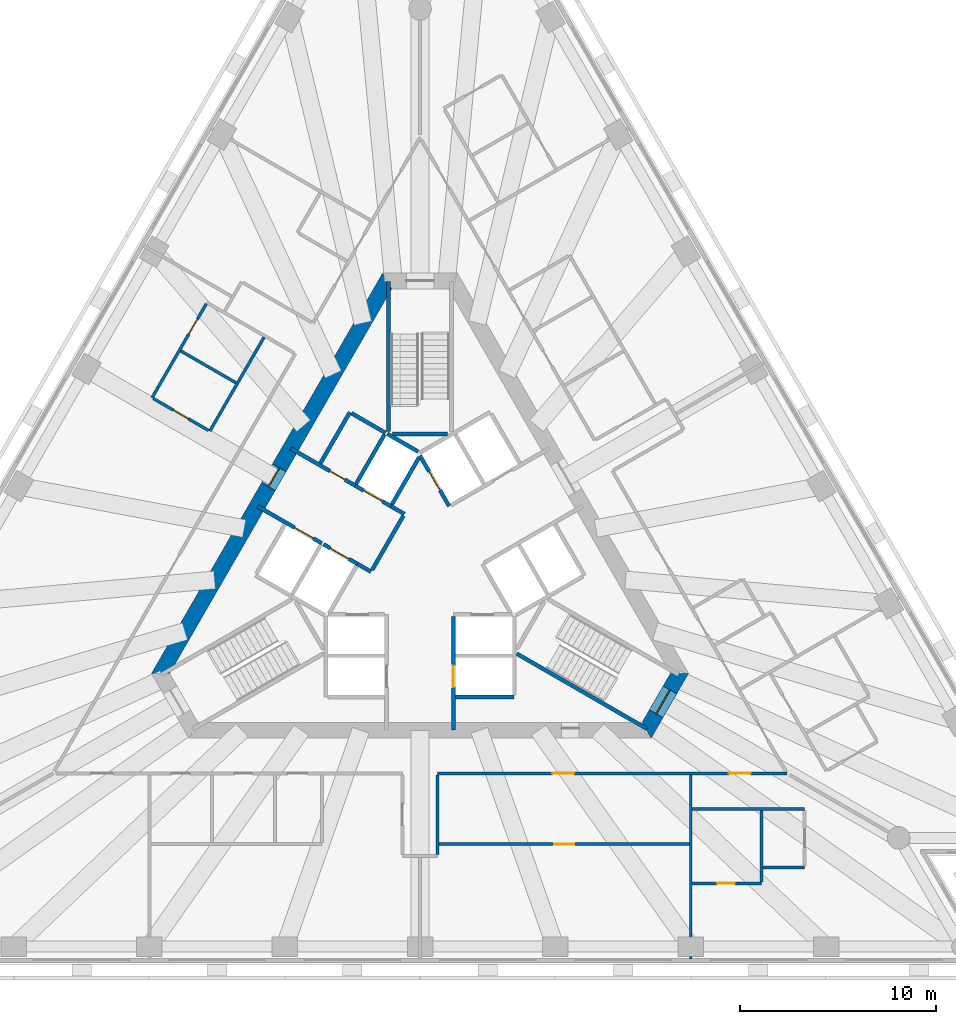
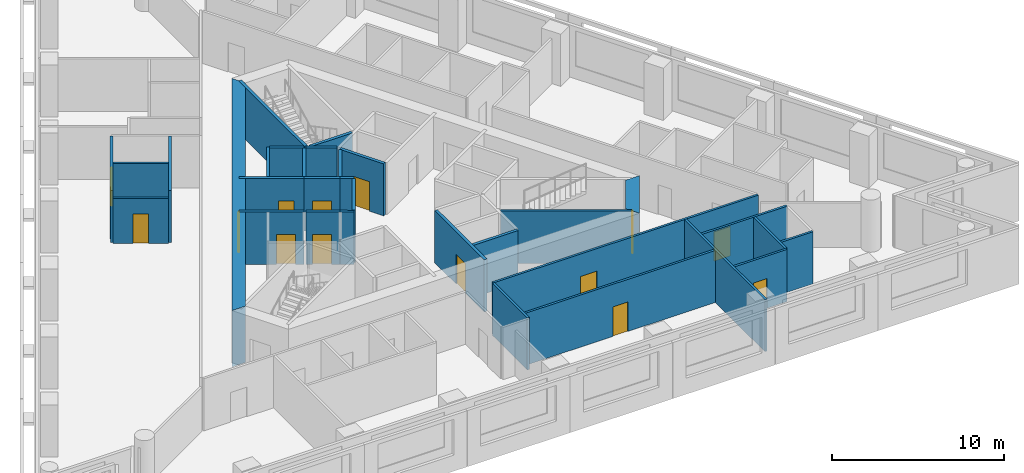
# One storey, part 4 of 10: 32 walls, 14 doors, 14 openings.
"""IFC4 building model written with IfcOpenShell, lengths in metres."""

from ifc_helpers import new_model, si_unit, direction, frame, frame_2d, origin, place, context, subcontext, project, spatial, polyline, rectangle, outline, extrude, material, layer, layer_set, type_object, element, fill, save


model = new_model("IFC4")

# Units and contexts
model_context = context("Model", 3, precision=1e-05, world=origin(), true_north=direction((0.0, 1.0)))
body_context = subcontext(model_context, "Body", "Model", "MODEL_VIEW")
ifc_project = project(units=[si_unit("LENGTHUNIT", "METRE"), si_unit("AREAUNIT", "SQUARE_METRE"), si_unit("VOLUMEUNIT", "CUBIC_METRE"), si_unit("PLANEANGLEUNIT", "RADIAN"), si_unit("MASSUNIT", "GRAM", prefix="KILO")], contexts=[model_context])

# Site, building, storey
site_placement = place(None, origin())
site = spatial("IfcSite", under=ifc_project, at=site_placement, CompositionType="ELEMENT")
building_placement = place(site_placement, origin())
building = spatial("IfcBuilding", under=site, at=building_placement, Name="Triada Interchange Tower", CompositionType="ELEMENT")
storey_placement = place(building_placement, frame((0.0, 0.0, 120.300048828125)))
storey = spatial("IfcBuildingStorey", under=building, at=storey_placement, Name="L27", CompositionType="ELEMENT", Elevation=120.300048828125)

# Wall
ifc_material_1 = material(Name="Concrete C30/37", Category="concrete")
ifc_layer_1 = layer(ifc_material_1, 0.199951171875)
ifc_layer_set_1 = layer_set([ifc_layer_1], Name="CORE WALL 200 EI 120")
wall_type_1 = type_object("IfcWallType", Name="CORE WALL 200 EI 120", PredefinedType="SOLIDWALL", material=ifc_layer_set_1)
wall_1_placement = place(storey_placement, frame((1.800048828125, -6.89990234375, 0.0), z_axis=(0.0, 0.0, 1.0), x_axis=(1.0, 0.0, 0.0)))
element("IfcWall", 1, at=wall_1_placement, inside=storey, type_object=wall_type_1, Name="Wall L26 66", PredefinedType="SOLIDWALL", context=body_context, shape_type="SweptSolid", body=[
    extrude(rectangle(XDim=3.0, YDim=0.199951171875, at=frame_2d((1.5, 0.0))), origin(), (0.0, 0.0, 1.0), 3.699951171875),
])

# Wall, opening, door
wall_2_placement = place(storey_placement, frame((0.0, 5.39990234375, 0.0), z_axis=(0.0, 0.0, 1.0), x_axis=(0.500103862429, -0.865965430478, 0.0)))
wall_2 = element("IfcWall", 2, at=wall_2_placement, inside=storey, type_object=wall_type_1, Name="Wall L26 71", PredefinedType="SOLIDWALL", context=body_context, shape_type="SweptSolid", body=[
    extrude(rectangle(XDim=2.973388671875, YDim=0.199951171875, at=frame_2d((1.48681640625, 0.0))), origin(), (0.0, 0.0, 1.0), 3.699951171875),
])
opening_1_placement = place(wall_2_placement, frame((0.93701171875, 0.0, 0.0)))
opening_1 = element("IfcOpeningElement", 3, at=opening_1_placement, cuts=wall_2, Name="Opening LD-LR5", PredefinedType="OPENING", context=body_context, shape_type="SweptSolid", body=[
    extrude(rectangle(XDim=1.10009765625, YDim=2.10009765625, at=frame_2d((0.550048828125, 1.050048828125))), frame((0.0, 0.10986328125, 0.0), z_axis=(0.0, -1.0, 0.0), x_axis=(1.0, 0.0, 0.0)), (0.0, 0.0, 1.0), 0.219970703125),
])
ifc_material_2 = material(Name="Steel S235 door leaf", Category="steel")
door_type_1 = type_object("IfcDoorType", Name="LIFT LANDING DOOR 1100 EI 120", OperationType="SLIDING_TO_LEFT", PredefinedType="DOOR", material=ifc_material_2)
door_1_placement = place(opening_1_placement, origin())
door_1 = element("IfcDoor", 4, at=door_1_placement, inside=storey, type_object=door_type_1, Name="LR5 landing door L27", OperationType="SLIDING_TO_LEFT", OverallHeight=2.10009765625, OverallWidth=1.10009765625, PredefinedType="DOOR", context=body_context, shape_type="SweptSolid", body=[
    extrude(rectangle(XDim=1.10009765625, YDim=2.10009765625, at=frame_2d((0.550048828125, 1.050048828125))), frame((0.0, 0.02490234375, 0.0), z_axis=(0.0, -1.0, 0.0), x_axis=(1.0, 0.0, 0.0)), (0.0, 0.0, 1.0), 0.050048828125),
])
fill(opening_1, door_1)

wall_3_placement = place(storey_placement, frame((1.699951171875, -8.580078125, 0.0), z_axis=(0.0, 0.0, 1.0), x_axis=(0.0, 1.0, 0.0)))
wall_3 = element("IfcWall", 5, at=wall_3_placement, inside=storey, type_object=wall_type_1, Name="Wall L26 74", PredefinedType="SOLIDWALL", context=body_context, shape_type="SweptSolid", body=[
    extrude(rectangle(XDim=5.777099609375, YDim=0.199951171875, at=frame_2d((2.888671875, 0.0))), origin(), (0.0, 0.0, 1.0), 3.699951171875),
])
opening_2_placement = place(wall_3_placement, frame((2.179931640625, 0.0, 0.0)))
opening_2 = element("IfcOpeningElement", 6, at=opening_2_placement, cuts=wall_3, Name="Opening LD-LR2", PredefinedType="OPENING", context=body_context, shape_type="SweptSolid", body=[
    extrude(rectangle(XDim=1.10009765625, YDim=2.10009765625, at=frame_2d((0.550048828125, 1.050048828125))), frame((0.0, 0.10986328125, 0.0), z_axis=(0.0, -1.0, 0.0), x_axis=(1.0, 0.0, 0.0)), (0.0, 0.0, 1.0), 0.219970703125),
])
door_2_placement = place(opening_2_placement, origin())
door_2 = element("IfcDoor", 7, at=door_2_placement, inside=storey, type_object=door_type_1, Name="LR2 landing door L27", OperationType="SLIDING_TO_LEFT", OverallHeight=2.10009765625, OverallWidth=1.10009765625, PredefinedType="DOOR", context=body_context, shape_type="SweptSolid", body=[
    extrude(rectangle(XDim=1.10009765625, YDim=2.10009765625, at=frame_2d((0.550048828125, 1.050048828125))), frame((0.0, 0.02490234375, 0.0), z_axis=(0.0, -1.0, 0.0), x_axis=(1.0, 0.0, 0.0)), (0.0, 0.0, 1.0), 0.050048828125),
])
fill(opening_2, door_2)

ifc_layer_2 = layer(ifc_material_1, 0.199951171875)
ifc_layer_set_2 = layer_set([ifc_layer_2], Name="CORE WALL 200 EI 180")
wall_type_2 = type_object("IfcWallType", Name="CORE WALL 200 EI 180", PredefinedType="SOLIDWALL", material=ifc_layer_set_2)
wall_4_placement = place(storey_placement, frame((-8.280029296875, 2.818115234375, 0.0), z_axis=(0.0, 0.0, 1.0), x_axis=(0.86600175068, -0.50004096614, 0.0)))
wall_4 = element("IfcWall", 8, at=wall_4_placement, inside=storey, type_object=wall_type_2, Name="Wall L26 82", PredefinedType="SOLIDWALL", context=body_context, shape_type="SweptSolid", body=[
    extrude(rectangle(XDim=3.781982421875, YDim=0.199951171875, at=frame_2d((1.89111328125, 0.0))), origin(), (0.0, 0.0, 1.0), 3.699951171875),
])
opening_3_placement = place(wall_4_placement, frame((2.179931640625, 0.0, 0.0)))
opening_3 = element("IfcOpeningElement", 9, at=opening_3_placement, cuts=wall_4, Name="Opening LD-SV1", PredefinedType="OPENING", context=body_context, shape_type="SweptSolid", body=[
    extrude(rectangle(XDim=1.10009765625, YDim=2.10009765625, at=frame_2d((0.550048828125, 1.050048828125))), frame((0.0, 0.10986328125, 0.0), z_axis=(0.0, -1.0, 0.0), x_axis=(1.0, 0.0, 0.0)), (0.0, 0.0, 1.0), 0.219970703125),
])
door_3_placement = place(opening_3_placement, origin())
door_3 = element("IfcDoor", 10, at=door_3_placement, inside=storey, type_object=door_type_1, Name="SV1 landing door L27", OperationType="SLIDING_TO_LEFT", OverallHeight=2.10009765625, OverallWidth=1.10009765625, PredefinedType="DOOR", context=body_context, shape_type="SweptSolid", body=[
    extrude(rectangle(XDim=1.10009765625, YDim=2.10009765625, at=frame_2d((0.550048828125, 1.050048828125))), frame((0.0, 0.02490234375, 0.0), z_axis=(0.0, -1.0, 0.0), x_axis=(1.0, 0.0, 0.0)), (0.0, 0.0, 1.0), 0.050048828125),
])
fill(opening_3, door_3)

# Wall
wall_5_placement = place(storey_placement, frame((-3.18798828125, -0.1220703125, 0.0), z_axis=(0.0, 0.0, 1.0), x_axis=(0.865705793592, -0.50055317294, 0.0)))
element("IfcWall", 11, at=wall_5_placement, inside=storey, type_object=wall_type_2, Name="Wall L26 83", PredefinedType="SOLIDWALL", context=body_context, shape_type="SweptSolid", body=[
    extrude(rectangle(XDim=0.796875, YDim=0.199951171875, at=frame_2d((0.3984375, 0.0))), origin(), (0.0, 0.0, 1.0), 3.699951171875),
])

# Wall, opening, door
wall_6_placement = place(storey_placement, frame((-6.580078125, 5.761962890625, 0.0), z_axis=(0.0, 0.0, 1.0), x_axis=(0.866029704776, -0.49999255039, 0.0)))
wall_6 = element("IfcWall", 12, at=wall_6_placement, inside=storey, type_object=wall_type_2, Name="Wall L26 84", PredefinedType="SOLIDWALL", context=body_context, shape_type="SweptSolid", body=[
    extrude(rectangle(XDim=3.78173828125, YDim=0.199951171875, at=frame_2d((1.890869140625, 0.0))), origin(), (0.0, 0.0, 1.0), 3.699951171875),
])
opening_4_placement = place(wall_6_placement, frame((2.279052734375, 0.0, 0.0)))
opening_4 = element("IfcOpeningElement", 13, at=opening_4_placement, cuts=wall_6, Name="Opening D26-10", PredefinedType="OPENING", context=body_context, shape_type="SweptSolid", body=[
    extrude(rectangle(XDim=0.89990234375, YDim=2.10009765625, at=frame_2d((0.449951171875, 1.050048828125))), frame((0.0, 0.10986328125, 0.0), z_axis=(0.0, -1.0, 0.0), x_axis=(1.0, 0.0, 0.0)), (0.0, 0.0, 1.0), 0.219970703125),
])
door_type_2 = type_object("IfcDoorType", Name="SERVICE DOOR 900 EI2 90-C5S200", OperationType="NOTDEFINED", PredefinedType="DOOR", material=ifc_material_2)
door_4_placement = place(opening_4_placement, origin())
door_4 = element("IfcDoor", 14, at=door_4_placement, inside=storey, type_object=door_type_2, Name="Door D26-10 L27", OperationType="SINGLE_SWING_LEFT", OverallHeight=2.10009765625, OverallWidth=0.89990234375, PredefinedType="DOOR", context=body_context, shape_type="SweptSolid", body=[
    extrude(rectangle(XDim=0.89990234375, YDim=2.10009765625, at=frame_2d((0.449951171875, 1.050048828125))), frame((0.0, 0.02490234375, 0.0), z_axis=(0.0, -1.0, 0.0), x_axis=(1.0, 0.0, 0.0)), (0.0, 0.0, 1.0), 0.050048828125),
])
fill(opening_4, door_4)

# Walls
wall_7_placement = place(storey_placement, frame((-1.488037109375, 2.822021484375, 0.0), z_axis=(0.0, 0.0, 1.0), x_axis=(0.866236612152, -0.499633997809, 0.0)))
element("IfcWall", 15, at=wall_7_placement, inside=storey, type_object=wall_type_2, Name="Wall L26 85", PredefinedType="SOLIDWALL", context=body_context, shape_type="SweptSolid", body=[
    extrude(rectangle(XDim=0.79638671875, YDim=0.199951171875, at=frame_2d((0.398193359375, 0.0))), origin(), (0.0, 0.0, 1.0), 3.699951171875),
])
wall_8_placement = place(storey_placement, frame((-5.075927734375, 5.009033203125, 0.0), z_axis=(0.0, 0.0, 1.0), x_axis=(0.50002537861, 0.866010750942, 0.0)))
element("IfcWall", 16, at=wall_8_placement, inside=storey, type_object=wall_type_2, Name="Wall L26 86", PredefinedType="SOLIDWALL", context=body_context, shape_type="SweptSolid", body=[
    extrude(rectangle(XDim=2.999755859375, YDim=0.199951171875, at=frame_2d((1.5, 0.0))), origin(), (0.0, 0.0, 1.0), 3.699951171875),
])
wall_9_placement = place(storey_placement, frame((-3.489013671875, 7.556884765625, 0.0), z_axis=(0.0, 0.0, 1.0), x_axis=(0.866010750942, -0.50002537861, 0.0)))
element("IfcWall", 17, at=wall_9_placement, inside=storey, type_object=wall_type_2, Name="Wall L26 87", PredefinedType="SOLIDWALL", context=body_context, shape_type="SweptSolid", body=[
    extrude(rectangle(XDim=2.0, YDim=0.199951171875, at=frame_2d((1.0, 0.0))), origin(), (0.0, 0.0, 1.0), 3.699951171875),
])
wall_10_placement = place(storey_placement, frame((-2.444091796875, -0.43310546875, 0.0), z_axis=(0.0, 0.0, 1.0), x_axis=(0.500035624827, 0.866004834804, 0.0)))
element("IfcWall", 18, at=wall_10_placement, inside=storey, type_object=wall_type_2, Name="Wall L26 88", PredefinedType="SOLIDWALL", context=body_context, shape_type="SweptSolid", body=[
    extrude(rectangle(XDim=3.194091796875, YDim=0.199951171875, at=frame_2d((1.59716796875, 0.0))), origin(), (0.0, 0.0, 1.0), 3.699951171875),
])

# Wall, opening, door
wall_11_placement = place(storey_placement, frame((-4.919921875, 0.8779296875, 0.0), z_axis=(0.0, 0.0, 1.0), x_axis=(0.866010750942, -0.50002537861, 0.0)))
wall_11 = element("IfcWall", 19, at=wall_11_placement, inside=storey, type_object=wall_type_2, Name="Shaft wall FF1 L26 91", PredefinedType="SOLIDWALL", context=body_context, shape_type="SweptSolid", body=[
    extrude(rectangle(XDim=2.0, YDim=0.199951171875, at=frame_2d((1.0, 0.0))), origin(), (0.0, 0.0, 1.0), 3.699951171875),
])
opening_5_placement = place(wall_11_placement, frame((0.39990234375, 0.0, 0.0)))
opening_5 = element("IfcOpeningElement", 20, at=opening_5_placement, cuts=wall_11, Name="Opening LD-FF1", PredefinedType="OPENING", context=body_context, shape_type="SweptSolid", body=[
    extrude(rectangle(XDim=1.10009765625, YDim=2.10009765625, at=frame_2d((0.550048828125, 1.050048828125))), frame((0.0, 0.10986328125, 0.0), z_axis=(0.0, -1.0, 0.0), x_axis=(1.0, 0.0, 0.0)), (0.0, 0.0, 1.0), 0.219970703125),
])
door_5_placement = place(opening_5_placement, origin())
door_5 = element("IfcDoor", 21, at=door_5_placement, inside=storey, type_object=door_type_1, Name="FF1 landing door L27", OperationType="SLIDING_TO_LEFT", OverallHeight=2.10009765625, OverallWidth=1.10009765625, PredefinedType="DOOR", context=body_context, shape_type="SweptSolid", body=[
    extrude(rectangle(XDim=1.10009765625, YDim=2.10009765625, at=frame_2d((0.550048828125, 1.050048828125))), frame((0.0, 0.02490234375, 0.0), z_axis=(0.0, -1.0, 0.0), x_axis=(1.0, 0.0, 0.0)), (0.0, 0.0, 1.0), 0.050048828125),
])
fill(opening_5, door_5)

wall_12_placement = place(storey_placement, frame((-3.30908203125, 3.873046875, 0.0), z_axis=(0.0, 0.0, 1.0), x_axis=(0.866098583652, -0.499873227325, 0.0)))
wall_12 = element("IfcWall", 22, at=wall_12_placement, inside=storey, type_object=wall_type_2, Name="Shaft wall FF2 L26 93", PredefinedType="SOLIDWALL", context=body_context, shape_type="SweptSolid", body=[
    extrude(rectangle(XDim=2.1025390625, YDim=0.199951171875, at=frame_2d((1.05126953125, 0.0))), origin(), (0.0, 0.0, 1.0), 3.699951171875),
])
opening_6_placement = place(wall_12_placement, frame((0.501953125, 0.0, 0.0)))
opening_6 = element("IfcOpeningElement", 23, at=opening_6_placement, cuts=wall_12, Name="Opening LD-FF2", PredefinedType="OPENING", context=body_context, shape_type="SweptSolid", body=[
    extrude(rectangle(XDim=1.10009765625, YDim=2.10009765625, at=frame_2d((0.550048828125, 1.050048828125))), frame((0.0, 0.10986328125, 0.0), z_axis=(0.0, -1.0, 0.0), x_axis=(1.0, 0.0, 0.0)), (0.0, 0.0, 1.0), 0.219970703125),
])
door_6_placement = place(opening_6_placement, origin())
door_6 = element("IfcDoor", 24, at=door_6_placement, inside=storey, type_object=door_type_1, Name="FF2 landing door L27", OperationType="SLIDING_TO_LEFT", OverallHeight=2.10009765625, OverallWidth=1.10009765625, PredefinedType="DOOR", context=body_context, shape_type="SweptSolid", body=[
    extrude(rectangle(XDim=1.10009765625, YDim=2.10009765625, at=frame_2d((0.550048828125, 1.050048828125))), frame((0.0, 0.02490234375, 0.0), z_axis=(0.0, -1.0, 0.0), x_axis=(1.0, 0.0, 0.0)), (0.0, 0.0, 1.0), 0.050048828125),
])
fill(opening_6, door_6)

# Walls
wall_13_placement = place(storey_placement, frame((-3.257080078125, 3.958984375, 0.0), z_axis=(0.0, 0.0, 1.0), x_axis=(0.50012328804, 0.865954211699, 0.0)))
element("IfcWall", 25, at=wall_13_placement, inside=storey, type_object=wall_type_2, Name="Shaft wall FF2 L26 94", PredefinedType="SOLIDWALL", context=body_context, shape_type="SweptSolid", body=[
    extrude(rectangle(XDim=2.899658203125, YDim=0.199951171875, at=frame_2d((1.44970703125, 0.0))), origin(), (0.0, 0.0, 1.0), 3.699951171875),
])
wall_14_placement = place(storey_placement, frame((-1.669921875, 6.507080078125, 0.0), z_axis=(0.0, 0.0, 1.0), x_axis=(0.865941441609, -0.500145398563, 0.0)))
element("IfcWall", 26, at=wall_14_placement, inside=storey, type_object=wall_type_2, Name="Shaft wall FF2 L26 95", PredefinedType="SOLIDWALL", context=body_context, shape_type="SweptSolid", body=[
    extrude(rectangle(XDim=1.8154296875, YDim=0.199951171875, at=frame_2d((0.90771484375, 0.0))), origin(), (0.0, 0.0, 1.0), 3.699951171875),
])
wall_15_placement = place(storey_placement, frame((-1.43798828125, 2.908935546875, 0.0), z_axis=(0.0, 0.0, 1.0), x_axis=(0.499829630636, 0.866123744241, 0.0)))
element("IfcWall", 27, at=wall_15_placement, inside=storey, type_object=wall_type_2, Name="Shaft wall FF2 L26 96", PredefinedType="SOLIDWALL", context=body_context, shape_type="SweptSolid", body=[
    extrude(rectangle(XDim=2.7607421875, YDim=0.199951171875, at=frame_2d((1.38037109375, 0.0))), origin(), (0.0, 0.0, 1.0), 3.699951171875),
])
ifc_layer_3 = layer(ifc_material_1, 0.199951171875)
ifc_layer_set_3 = layer_set([ifc_layer_3], Name="CORE WALL 200 REI 240")
wall_type_3 = type_object("IfcWallType", Name="CORE WALL 200 REI 240", PredefinedType="SOLIDWALL", material=ifc_layer_set_3)
wall_16_placement = place(storey_placement, frame((-1.39990234375, 6.5, 0.0), z_axis=(0.0, 0.0, 1.0), x_axis=(1.0, 0.0, 0.0)))
element("IfcWall", 28, at=wall_16_placement, inside=storey, type_object=wall_type_3, Name="Wall L26 101", PredefinedType="SOLIDWALL", context=body_context, shape_type="SweptSolid", body=[
    extrude(rectangle(XDim=2.7998046875, YDim=0.199951171875, at=frame_2d((1.39990234375, 0.0))), origin(), (0.0, 0.0, 1.0), 3.699951171875),
])
for number, where, z_axis, x_axis, name in (
    (29, (-1.60009765625, 6.614990234375, 0.0), (0.0, 0.0, 1.0), (0.0, 1.0, 0.0), "Wall L26 102"),
    (30, (4.928955078125, -4.693115234375, 0.0), (0.0, 0.0, 1.0), (0.866005769735, -0.50003400563, 0.0), "Wall L26 103"),
):
    element("IfcWall", number, at=place(storey_placement, frame(where, z_axis=z_axis, x_axis=x_axis)), inside=storey, type_object=wall_type_3, Name=name, PredefinedType="SOLIDWALL", context=body_context, shape_type="SweptSolid", body=[
        extrude(rectangle(XDim=7.6650390625, YDim=0.199951171875, at=frame_2d((3.83251953125, 0.0))), origin(), (0.0, 0.0, 1.0), 3.699951171875),
    ])

# Wall, opening, door
ifc_material_3 = material(Name="Concrete C60/75", Category="concrete")
ifc_layer_4 = layer(ifc_material_3, 0.800048828125)
ifc_layer_set_4 = layer_set([ifc_layer_4], Name="Core wall B 800")
wall_type_4 = type_object("IfcWallType", Name="Core wall B 800", PredefinedType="SHEAR", material=ifc_layer_set_4)
wall_17_placement = place(storey_placement, frame((-1.674072265625, 14.300048828125, -0.300048828125), z_axis=(0.0, 0.0, 1.0), x_axis=(-0.499995765644, -0.866027848477, 0.0)))
wall_17 = element("IfcWall", 31, at=wall_17_placement, inside=storey, type_object=wall_type_4, Name="Core wall WB02 L27", PredefinedType="SHEAR", context=body_context, shape_type="SweptSolid", body=[
    extrude(outline(polyline([(-0.23095703125, -0.39990234375), (1.73193359375, -0.39990234375), (3.695068359375, -0.39990234375), (5.657958984375, -0.39990234375), (7.62109375, -0.39990234375), (9.583984375, -0.39990234375), (11.546875, -0.39990234375), (13.510009765625, -0.39990234375), (15.472900390625, -0.39990234375), (17.43603515625, -0.39990234375), (19.39892578125, -0.39990234375), (21.362060546875, -0.39990234375), (23.324951171875, -0.39990234375), (22.863037109375, 0.39990234375), (20.97705078125, 0.39990234375), (19.091064453125, 0.39990234375), (17.205078125, 0.39990234375), (15.319091796875, 0.39990234375), (13.43310546875, 0.39990234375), (11.546875, 0.39990234375), (9.660888671875, 0.39990234375), (7.77490234375, 0.39990234375), (5.888916015625, 0.39990234375), (4.0029296875, 0.39990234375), (2.116943359375, 0.39990234375), (0.23095703125, 0.39990234375), (-0.23095703125, -0.39990234375)])), origin(), (0.0, 0.0, 1.0), 4.0),
])
opening_7_placement = place(wall_17_placement, frame((10.9970703125, 0.0, 0.300048828125)))
opening_7 = element("IfcOpeningElement", 32, at=opening_7_placement, cuts=wall_17, Name="Opening D26-44", PredefinedType="OPENING", context=body_context, shape_type="SweptSolid", body=[
    extrude(rectangle(XDim=1.10009765625, YDim=2.10009765625, at=frame_2d((0.550048828125, 1.050048828125))), frame((0.0, 0.409912109375, 0.0), z_axis=(0.0, -1.0, 0.0), x_axis=(1.0, 0.0, 0.0)), (0.0, 0.0, 1.0), 0.820068359375),
])
door_type_3 = type_object("IfcDoorType", Name="FIRE LOBBY DOOR 1100 EI2 90-C5S200", OperationType="NOTDEFINED", PredefinedType="DOOR", material=ifc_material_2)
door_7_placement = place(opening_7_placement, origin())
door_7 = element("IfcDoor", 33, at=door_7_placement, inside=storey, type_object=door_type_3, Name="Door D26-44 L27", OperationType="SINGLE_SWING_LEFT", OverallHeight=2.10009765625, OverallWidth=1.10009765625, PredefinedType="DOOR", context=body_context, shape_type="SweptSolid", body=[
    extrude(rectangle(XDim=1.10009765625, YDim=2.10009765625, at=frame_2d((0.550048828125, 1.050048828125))), frame((0.0, 0.02490234375, 0.0), z_axis=(0.0, -1.0, 0.0), x_axis=(1.0, 0.0, 0.0)), (0.0, 0.0, 1.0), 0.050048828125),
])
fill(opening_7, door_7)

wall_18_placement = place(storey_placement, frame((11.547119140625, -8.60009765625, -0.300048828125), z_axis=(0.0, 0.0, 1.0), x_axis=(0.49987182685, 0.866099391942, 0.0)))
wall_18 = element("IfcWall", 34, at=wall_18_placement, inside=storey, type_object=wall_type_4, Name="Core wall WB05 L27", PredefinedType="SHEAR", context=body_context, shape_type="SweptSolid", body=[
    extrude(outline(polyline([(-0.23095703125, -0.39990234375), (1.674072265625, -0.39990234375), (3.5791015625, -0.39990234375), (3.117919921875, 0.39990234375), (1.67431640625, 0.39990234375), (0.23095703125, 0.39990234375), (-0.23095703125, -0.39990234375)])), origin(), (0.0, 0.0, 1.0), 4.0),
])
opening_8_placement = place(wall_18_placement, frame((0.97412109375, 0.0, 0.300048828125)))
opening_8 = element("IfcOpeningElement", 35, at=opening_8_placement, cuts=wall_18, Name="Opening D26-43", PredefinedType="OPENING", context=body_context, shape_type="SweptSolid", body=[
    extrude(rectangle(XDim=1.39990234375, YDim=2.10009765625, at=frame_2d((0.699951171875, 1.050048828125))), frame((0.0, 0.409912109375, 0.0), z_axis=(0.0, -1.0, 0.0), x_axis=(1.0, 0.0, 0.0)), (0.0, 0.0, 1.0), 0.820068359375),
])
door_type_4 = type_object("IfcDoorType", Name="STAIR DOOR 1400 EI2 90-C5S200", OperationType="DOUBLE_DOOR_SINGLE_SWING", PredefinedType="DOOR", material=ifc_material_2)
door_8_placement = place(opening_8_placement, origin())
door_8 = element("IfcDoor", 36, at=door_8_placement, inside=storey, type_object=door_type_4, Name="Door D26-43 L27", OperationType="DOUBLE_DOOR_SINGLE_SWING", OverallHeight=2.10009765625, OverallWidth=1.39990234375, PredefinedType="DOOR", context=body_context, shape_type="SweptSolid", body=[
    extrude(rectangle(XDim=1.39990234375, YDim=2.10009765625, at=frame_2d((0.699951171875, 1.050048828125))), frame((0.0, 0.02490234375, 0.0), z_axis=(0.0, -1.0, 0.0), x_axis=(1.0, 0.0, 0.0)), (0.0, 0.0, 1.0), 0.050048828125),
])
fill(opening_8, door_8)

# Wall, openings, doors
ifc_material_4 = material(Name="Gypsum board partition")
ifc_layer_5 = layer(ifc_material_4, 0.14990234375)
ifc_layer_set_5 = layer_set([ifc_layer_5], Name="PARTITION 150 EI 180")
wall_type_5 = type_object("IfcWallType", Name="PARTITION 150 EI 180", PredefinedType="PARTITIONING", material=ifc_layer_set_5)
wall_19_placement = place(storey_placement, frame((0.90087890625, -10.800048828125, 0.0), z_axis=(0.0, 0.0, 1.0), x_axis=(1.0, 0.0, 0.0)))
wall_19 = element("IfcWall", 37, at=wall_19_placement, inside=storey, type_object=wall_type_5, Name="Wall L26 4", PredefinedType="PARTITIONING", context=body_context, shape_type="SweptSolid", body=[
    extrude(rectangle(XDim=17.80419921875, YDim=0.14990234375, at=frame_2d((8.902099609375, 0.0))), origin(), (0.0, 0.0, 1.0), 3.699951171875),
])
opening_9_placement = place(wall_19_placement, frame((5.84912109375, 0.0, 0.0)))
opening_9 = element("IfcOpeningElement", 38, at=opening_9_placement, cuts=wall_19, Name="Opening D26-16", PredefinedType="OPENING", context=body_context, shape_type="SweptSolid", body=[
    extrude(rectangle(XDim=1.10009765625, YDim=2.10009765625, at=frame_2d((0.550048828125, 1.050048828125))), frame((0.0, 0.0849609375, 0.0), z_axis=(0.0, -1.0, 0.0), x_axis=(1.0, 0.0, 0.0)), (0.0, 0.0, 1.0), 0.169921875),
])
opening_10_placement = place(wall_19_placement, frame((14.843994140625, 0.0, 0.0)))
opening_10 = element("IfcOpeningElement", 39, at=opening_10_placement, cuts=wall_19, Name="Opening D26-18", PredefinedType="OPENING", context=body_context, shape_type="SweptSolid", body=[
    extrude(rectangle(XDim=1.10009765625, YDim=2.10009765625, at=frame_2d((0.550048828125, 1.050048828125))), frame((0.0, 0.0849609375, 0.0), z_axis=(0.0, -1.0, 0.0), x_axis=(1.0, 0.0, 0.0)), (0.0, 0.0, 1.0), 0.169921875),
])
door_type_5 = type_object("IfcDoorType", Name="TENANCY ENTRANCE DOOR 1100 EI2 90-C5S200", OperationType="NOTDEFINED", PredefinedType="DOOR", material=ifc_material_2)
door_9_placement = place(opening_9_placement, origin())
door_9 = element("IfcDoor", 40, at=door_9_placement, inside=storey, type_object=door_type_5, Name="Door D26-16 L27", OperationType="SINGLE_SWING_LEFT", OverallHeight=2.10009765625, OverallWidth=1.10009765625, PredefinedType="DOOR", context=body_context, shape_type="SweptSolid", body=[
    extrude(rectangle(XDim=1.10009765625, YDim=2.10009765625, at=frame_2d((0.550048828125, 1.050048828125))), frame((0.0, 0.02490234375, 0.0), z_axis=(0.0, -1.0, 0.0), x_axis=(1.0, 0.0, 0.0)), (0.0, 0.0, 1.0), 0.050048828125),
])
fill(opening_9, door_9)
door_10_placement = place(opening_10_placement, origin())
door_10 = element("IfcDoor", 41, at=door_10_placement, inside=storey, type_object=door_type_5, Name="Door D26-18 L27", OperationType="SINGLE_SWING_LEFT", OverallHeight=2.10009765625, OverallWidth=1.10009765625, PredefinedType="DOOR", context=body_context, shape_type="SweptSolid", body=[
    extrude(rectangle(XDim=1.10009765625, YDim=2.10009765625, at=frame_2d((0.550048828125, 1.050048828125))), frame((0.0, 0.02490234375, 0.0), z_axis=(0.0, -1.0, 0.0), x_axis=(1.0, 0.0, 0.0)), (0.0, 0.0, 1.0), 0.050048828125),
])
fill(opening_10, door_10)

# Walls
wall_20_placement = place(storey_placement, frame((0.89990234375, -14.925048828125, 0.0), z_axis=(0.0, 0.0, 1.0), x_axis=(0.0, 1.0, 0.0)))
element("IfcWall", 42, at=wall_20_placement, inside=storey, type_object=wall_type_5, Name="Wall L26 23", PredefinedType="PARTITIONING", context=body_context, shape_type="SweptSolid", body=[
    extrude(rectangle(XDim=4.049072265625, YDim=0.14990234375, at=frame_2d((2.0244140625, 0.0))), origin(), (0.0, 0.0, 1.0), 3.699951171875),
])
wall_21_placement = place(storey_placement, frame((13.794921875, -20.243896484375, 0.0), z_axis=(0.0, 0.0, 1.0), x_axis=(0.0, 1.0, 0.0)))
element("IfcWall", 43, at=wall_21_placement, inside=storey, type_object=wall_type_5, Name="Wall L26 34", PredefinedType="PARTITIONING", context=body_context, shape_type="SweptSolid", body=[
    extrude(rectangle(XDim=9.368896484375, YDim=0.14990234375, at=frame_2d((4.6845703125, 0.0))), origin(), (0.0, 0.0, 1.0), 3.699951171875),
])
ifc_layer_6 = layer(ifc_material_4, 0.14990234375)
ifc_layer_set_6 = layer_set([ifc_layer_6], Name="PARTITION 150 EI 90")
wall_type_6 = type_object("IfcWallType", Name="PARTITION 150 EI 90", PredefinedType="PARTITIONING", material=ifc_layer_set_6)
wall_22_placement = place(storey_placement, frame((-10.712890625, 6.64501953125, 0.0), z_axis=(0.0, 0.0, 1.0), x_axis=(0.500050108258, 0.865996471835, 0.0)))
element("IfcWall", 44, at=wall_22_placement, inside=storey, type_object=wall_type_6, Name="Wall L26 41", PredefinedType="PARTITIONING", context=body_context, shape_type="SweptSolid", body=[
    extrude(rectangle(XDim=5.525390625, YDim=0.14990234375, at=frame_2d((2.7626953125, 0.0))), origin(), (0.0, 0.0, 1.0), 3.699951171875),
])

# Wall, opening, door
wall_23_placement = place(storey_placement, frame((-13.656982421875, 8.344970703125, 0.0), z_axis=(0.0, 0.0, 1.0), x_axis=(0.499917542299, 0.866073005526, 0.0)))
wall_23 = element("IfcWall", 45, at=wall_23_placement, inside=storey, type_object=wall_type_6, Name="Wall L26 42", PredefinedType="PARTITIONING", context=body_context, shape_type="SweptSolid", body=[
    extrude(rectangle(XDim=5.52490234375, YDim=0.14990234375, at=frame_2d((2.762451171875, 0.0))), origin(), (0.0, 0.0, 1.0), 3.699951171875),
])
opening_11_placement = place(wall_23_placement, frame((3.75, 0.0, 0.0)))
opening_11 = element("IfcOpeningElement", 46, at=opening_11_placement, cuts=wall_23, Name="Opening D26-38", PredefinedType="OPENING", context=body_context, shape_type="SweptSolid", body=[
    extrude(rectangle(XDim=0.89990234375, YDim=2.10009765625, at=frame_2d((0.449951171875, 1.050048828125))), frame((0.0, 0.0849609375, 0.0), z_axis=(0.0, -1.0, 0.0), x_axis=(1.0, 0.0, 0.0)), (0.0, 0.0, 1.0), 0.169921875),
])
door_type_6 = type_object("IfcDoorType", Name="ROOM DOOR 900 EI2 45-C5S200", OperationType="NOTDEFINED", PredefinedType="DOOR", material=ifc_material_2)
door_11_placement = place(opening_11_placement, origin())
door_11 = element("IfcDoor", 47, at=door_11_placement, inside=storey, type_object=door_type_6, Name="Door D26-38 L27", OperationType="SINGLE_SWING_LEFT", OverallHeight=2.10009765625, OverallWidth=0.89990234375, PredefinedType="DOOR", context=body_context, shape_type="SweptSolid", body=[
    extrude(rectangle(XDim=0.89990234375, YDim=2.10009765625, at=frame_2d((0.449951171875, 1.050048828125))), frame((0.0, 0.02490234375, 0.0), z_axis=(0.0, -1.0, 0.0), x_axis=(1.0, 0.0, 0.0)), (0.0, 0.0, 1.0), 0.050048828125),
])
fill(opening_11, door_11)

wall_24_placement = place(storey_placement, frame((-13.592041015625, 8.306884765625, 0.0), z_axis=(0.0, 0.0, 1.0), x_axis=(0.865977875238, -0.500082312822, 0.0)))
wall_24 = element("IfcWall", 48, at=wall_24_placement, inside=storey, type_object=wall_type_6, Name="Wall L26 43", PredefinedType="PARTITIONING", context=body_context, shape_type="SweptSolid", body=[
    extrude(rectangle(XDim=3.24951171875, YDim=0.14990234375, at=frame_2d((1.624755859375, 0.0))), origin(), (0.0, 0.0, 1.0), 3.199951171875),
])
opening_12_placement = place(wall_24_placement, frame((1.175048828125, 0.0, 0.0)))
opening_12 = element("IfcOpeningElement", 49, at=opening_12_placement, cuts=wall_24, Name="Opening D26-39", PredefinedType="OPENING", context=body_context, shape_type="SweptSolid", body=[
    extrude(rectangle(XDim=0.89990234375, YDim=2.10009765625, at=frame_2d((0.449951171875, 1.050048828125))), frame((0.0, 0.0849609375, 0.0), z_axis=(0.0, -1.0, 0.0), x_axis=(1.0, 0.0, 0.0)), (0.0, 0.0, 1.0), 0.169921875),
])
door_12_placement = place(opening_12_placement, origin())
door_12 = element("IfcDoor", 50, at=door_12_placement, inside=storey, type_object=door_type_6, Name="Door D26-39 L27", OperationType="SINGLE_SWING_RIGHT", OverallHeight=2.10009765625, OverallWidth=0.89990234375, PredefinedType="DOOR", context=body_context, shape_type="SweptSolid", body=[
    extrude(rectangle(XDim=0.89990234375, YDim=2.10009765625, at=frame_2d((0.449951171875, 1.050048828125))), frame((0.0, 0.02490234375, 0.0), z_axis=(0.0, -1.0, 0.0), x_axis=(1.0, 0.0, 0.0)), (0.0, 0.0, 1.0), 0.050048828125),
])
fill(opening_12, door_12)

# Wall
wall_25_placement = place(storey_placement, frame((-12.19189453125, 10.73193359375, 0.0), z_axis=(0.0, 0.0, 1.0), x_axis=(0.865977875238, -0.500082312822, 0.0)))
element("IfcWall", 51, at=wall_25_placement, inside=storey, type_object=wall_type_6, Name="Wall L26 44", PredefinedType="PARTITIONING", context=body_context, shape_type="SweptSolid", body=[
    extrude(rectangle(XDim=3.24951171875, YDim=0.14990234375, at=frame_2d((1.624755859375, 0.0))), origin(), (0.0, 0.0, 1.0), 3.699951171875),
])

# Wall, opening, door
wall_26_placement = place(storey_placement, frame((0.97509765625, -14.39990234375, 0.0), z_axis=(0.0, 0.0, 1.0), x_axis=(1.0, 0.0, 0.0)))
wall_26 = element("IfcWall", 52, at=wall_26_placement, inside=storey, type_object=wall_type_6, Name="Wall L26 45", PredefinedType="PARTITIONING", context=body_context, shape_type="SweptSolid", body=[
    extrude(rectangle(XDim=12.744873046875, YDim=0.14990234375, at=frame_2d((6.37255859375, 0.0))), origin(), (0.0, 0.0, 1.0), 3.699951171875),
])
opening_13_placement = place(wall_26_placement, frame((5.875, 0.0, 0.0)))
opening_13 = element("IfcOpeningElement", 53, at=opening_13_placement, cuts=wall_26, Name="Opening D26-17", PredefinedType="OPENING", context=body_context, shape_type="SweptSolid", body=[
    extrude(rectangle(XDim=1.0, YDim=2.10009765625, at=frame_2d((0.5, 1.050048828125))), frame((0.0, 0.0849609375, 0.0), z_axis=(0.0, -1.0, 0.0), x_axis=(1.0, 0.0, 0.0)), (0.0, 0.0, 1.0), 0.169921875),
])
door_type_7 = type_object("IfcDoorType", Name="ROOM DOOR 1000 EI2 45-C5S200", OperationType="NOTDEFINED", PredefinedType="DOOR", material=ifc_material_2)
door_13_placement = place(opening_13_placement, origin())
door_13 = element("IfcDoor", 54, at=door_13_placement, inside=storey, type_object=door_type_7, Name="Door D26-17 L27", OperationType="SINGLE_SWING_RIGHT", OverallHeight=2.10009765625, OverallWidth=1.0, PredefinedType="DOOR", context=body_context, shape_type="SweptSolid", body=[
    extrude(rectangle(XDim=1.0, YDim=2.10009765625, at=frame_2d((0.5, 1.050048828125))), frame((0.0, 0.02490234375, 0.0), z_axis=(0.0, -1.0, 0.0), x_axis=(1.0, 0.0, 0.0)), (0.0, 0.0, 1.0), 0.050048828125),
])
fill(opening_13, door_13)

wall_27_placement = place(storey_placement, frame((13.8701171875, -16.39990234375, 0.0), z_axis=(0.0, 0.0, 1.0), x_axis=(1.0, 0.0, 0.0)))
wall_27 = element("IfcWall", 55, at=wall_27_placement, inside=storey, type_object=wall_type_6, Name="Wall L26 51", PredefinedType="PARTITIONING", context=body_context, shape_type="SweptSolid", body=[
    extrude(rectangle(XDim=3.52490234375, YDim=0.14990234375, at=frame_2d((1.762451171875, 0.0))), origin(), (0.0, 0.0, 1.0), 3.699951171875),
])
opening_14_placement = place(wall_27_placement, frame((1.27490234375, 0.0, 0.0)))
opening_14 = element("IfcOpeningElement", 56, at=opening_14_placement, cuts=wall_27, Name="Opening D26-19", PredefinedType="OPENING", context=body_context, shape_type="SweptSolid", body=[
    extrude(rectangle(XDim=0.89990234375, YDim=2.10009765625, at=frame_2d((0.449951171875, 1.050048828125))), frame((0.0, 0.0849609375, 0.0), z_axis=(0.0, -1.0, 0.0), x_axis=(1.0, 0.0, 0.0)), (0.0, 0.0, 1.0), 0.169921875),
])
door_14_placement = place(opening_14_placement, origin())
door_14 = element("IfcDoor", 57, at=door_14_placement, inside=storey, type_object=door_type_6, Name="Door D26-19 L27", OperationType="SINGLE_SWING_LEFT", OverallHeight=2.10009765625, OverallWidth=0.89990234375, PredefinedType="DOOR", context=body_context, shape_type="SweptSolid", body=[
    extrude(rectangle(XDim=0.89990234375, YDim=2.10009765625, at=frame_2d((0.449951171875, 1.050048828125))), frame((0.0, 0.02490234375, 0.0), z_axis=(0.0, -1.0, 0.0), x_axis=(1.0, 0.0, 0.0)), (0.0, 0.0, 1.0), 0.050048828125),
])
fill(opening_14, door_14)

# Walls
wall_28_placement = place(storey_placement, frame((17.39501953125, -16.324951171875, 0.0), z_axis=(0.0, 0.0, 1.0), x_axis=(0.0, 1.0, 0.0)))
element("IfcWall", 58, at=wall_28_placement, inside=storey, type_object=wall_type_6, Name="Wall L26 52", PredefinedType="PARTITIONING", context=body_context, shape_type="SweptSolid", body=[
    extrude(rectangle(XDim=3.64990234375, YDim=0.14990234375, at=frame_2d((1.824951171875, 0.0))), origin(), (0.0, 0.0, 1.0), 3.699951171875),
])
wall_29_placement = place(storey_placement, frame((13.8701171875, -12.60009765625, 0.0), z_axis=(0.0, 0.0, 1.0), x_axis=(1.0, 0.0, 0.0)))
element("IfcWall", 59, at=wall_29_placement, inside=storey, type_object=wall_type_6, Name="Wall L26 53", PredefinedType="PARTITIONING", context=body_context, shape_type="SweptSolid", body=[
    extrude(rectangle(XDim=5.724853515625, YDim=0.14990234375, at=frame_2d((2.8623046875, 0.0))), origin(), (0.0, 0.0, 1.0), 3.699951171875),
])
wall_30_placement = place(storey_placement, frame((17.469970703125, -15.60009765625, 0.0), z_axis=(0.0, 0.0, 1.0), x_axis=(1.0, 0.0, 0.0)))
element("IfcWall", 60, at=wall_30_placement, inside=storey, type_object=wall_type_6, Name="Wall L26 54", PredefinedType="PARTITIONING", context=body_context, shape_type="SweptSolid", body=[
    extrude(rectangle(XDim=2.125, YDim=0.14990234375, at=frame_2d((1.0625, 0.0))), origin(), (0.0, 0.0, 1.0), 3.699951171875),
])

save(model, "model.ifc")
